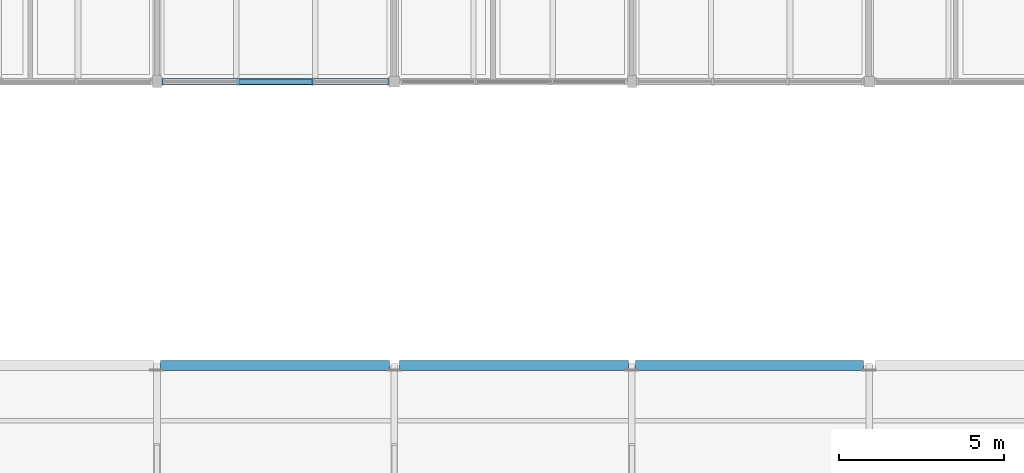
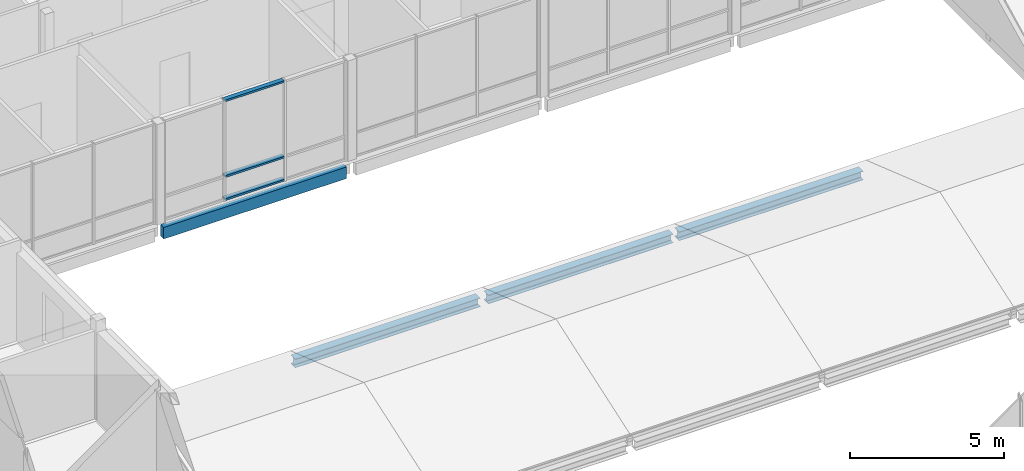
# One storey, part 23 of 115: 4 beams, 3 members, 1 element without a shape of its own.
"""IFC4 building model written with IfcOpenShell, lengths in metres."""

from ifc_helpers import new_model, si_unit, direction, frame, origin, origin_2d, place, context, subcontext, project, spatial, rectangle, hollow_rectangle, i_section, extrude, material, material_profile, profile_set, type_object, element, aggregate, save


model = new_model("IFC4")

# Units and contexts
model_context = context("Model", 3, precision=1e-05, world=origin(), true_north=direction((0.0, 1.0)))
body_context = subcontext(model_context, "Body", "Model", "MODEL_VIEW")
ifc_project = project(units=[si_unit("LENGTHUNIT", "METRE"), si_unit("AREAUNIT", "SQUARE_METRE"), si_unit("VOLUMEUNIT", "CUBIC_METRE"), si_unit("PLANEANGLEUNIT", "RADIAN"), si_unit("MASSUNIT", "GRAM", prefix="KILO")], contexts=[model_context])

# Site, building, storey
site_placement = place(None, origin())
site = spatial("IfcSite", under=ifc_project, at=site_placement, CompositionType="ELEMENT")
building_placement = place(site_placement, origin())
building = spatial("IfcBuilding", under=site, at=building_placement, Name="Hawrajan Terrace Health Centre", CompositionType="ELEMENT")
storey_placement = place(building_placement, frame((0.0, 0.0, 9.0)))
storey = spatial("IfcBuildingStorey", under=building, at=storey_placement, Name="L02", CompositionType="ELEMENT", Elevation=9.0)

# Curtain wall, members
ifc_material_1 = material(Name="Anodized bronze aluminium and low-E solar glazing", Category="aluminium")
curtain_wall_type = type_object("IfcCurtainWallType", Name="CW_Court_SeriesB2", PredefinedType="USERDEFINED", material=ifc_material_1)
curtain_wall_placement = place(storey_placement, origin())
curtain_wall = element("IfcCurtainWall", 1, at=curtain_wall_placement, inside=storey, type_object=curtain_wall_type, Name="Curtain wall CW-L02-125", ObjectType="UNITISED CURTAIN WALL", PredefinedType="USERDEFINED")
ifc_material_2 = material(Name="Anodized bronze aluminium 6063-T6", Category="aluminium")
ifc_material_profile_1 = material_profile(ifc_material_2, hollow_rectangle(XDim=0.074951171875, YDim=0.169921875, WallThickness=0.00439453125, at=origin_2d()), Name="CW TRN 75x170")
ifc_profile_set_1 = profile_set([ifc_material_profile_1], Name="Anodized bronze aluminium 6063-T6")
member_type = type_object("IfcMemberType", Name="CWTransom_75x170", PredefinedType="USERDEFINED", material=ifc_profile_set_1)
member_1_placement = place(storey_placement, frame((35.884033203125, 45.39990234375, 0.03759765625), z_axis=(1.0, 0.0, 0.0), x_axis=(0.0, 0.0, 1.0)))
member_1 = element("IfcMember", 2, at=member_1_placement, type_object=member_type, Name="Transom CW-L02-125-T2-1", ObjectType="TRANSOM", PredefinedType="USERDEFINED", context=body_context, shape_type="SweptSolid", body=[
    extrude(hollow_rectangle(XDim=0.074951171875, YDim=0.169921875, WallThickness=0.00439453125, at=origin_2d()), origin(), (0.0, 0.0, 1.0), 2.2119140625),
])
member_2_placement = place(storey_placement, frame((35.884033203125, 45.39990234375, 0.949951171875), z_axis=(1.0, 0.0, 0.0), x_axis=(0.0, 0.0, 1.0)))
member_2 = element("IfcMember", 3, at=member_2_placement, type_object=member_type, Name="Transom CW-L02-125-T2-2", ObjectType="TRANSOM", PredefinedType="USERDEFINED", context=body_context, shape_type="SweptSolid", body=[
    extrude(hollow_rectangle(XDim=0.074951171875, YDim=0.169921875, WallThickness=0.00439453125, at=origin_2d()), origin(), (0.0, 0.0, 1.0), 2.2119140625),
])
member_3_placement = place(storey_placement, frame((35.884033203125, 45.39990234375, 3.952392578125), z_axis=(1.0, 0.0, 0.0), x_axis=(0.0, 0.0, 1.0)))
member_3 = element("IfcMember", 4, at=member_3_placement, type_object=member_type, Name="Transom CW-L02-125-T2-3", ObjectType="TRANSOM", PredefinedType="USERDEFINED", context=body_context, shape_type="SweptSolid", body=[
    extrude(hollow_rectangle(XDim=0.074951171875, YDim=0.169921875, WallThickness=0.00439453125, at=origin_2d()), origin(), (0.0, 0.0, 1.0), 2.2119140625),
])
aggregate(curtain_wall, [member_1, member_2, member_3])

# Beams
ifc_material_3 = material(Name="Glulam GL32h", Category="wood")
ifc_material_profile_2 = material_profile(ifc_material_3, rectangle(XDim=0.199951171875, YDim=0.4599609375, at=origin_2d()), Name="GL SP 200x460")
ifc_profile_set_2 = profile_set([ifc_material_profile_2], Name="Glulam GL32h")
beam_type_1 = type_object("IfcBeamType", Name="GlulamSpandrel_200x460", PredefinedType="SPANDREL", material=ifc_profile_set_2)
beam_1_placement = place(storey_placement, frame((33.56005859375, 45.39990234375, -0.469970703125), z_axis=(1.0, 0.0, 0.0), x_axis=(0.0, 1.0, 0.0)))
element("IfcBeam", 5, at=beam_1_placement, inside=storey, type_object=beam_type_1, Name="Beam BM-X-L02-W-05-Y6", PredefinedType="SPANDREL", context=body_context, shape_type="SweptSolid", body=[
    extrude(rectangle(XDim=0.199951171875, YDim=0.4599609375, at=origin_2d()), origin(), (0.0, 0.0, 1.0), 6.85986328125),
])
ifc_material_4 = material(Name="Steel S355", Category="steel")
ifc_material_profile_3 = material_profile(ifc_material_4, i_section(OverallWidth=0.300048828125, OverallDepth=0.35009765625, WebThickness=0.010009765625, FlangeThickness=0.017578125, FilletRadius=0.027099609375, at=origin_2d()), Name="HEA 360")
ifc_profile_set_3 = profile_set([ifc_material_profile_3], Name="Steel S355")
beam_type_2 = type_object("IfcBeamType", Name="SteelBeam_HEA360", PredefinedType="BEAM", material=ifc_profile_set_3)
for number, where, z_axis, x_axis, name in (
    (6, (33.509521484375, 36.800048828125, -0.375), (1.0, 0.0, 0.0), (0.0, 1.0, 0.0), "Beam BM-X-L02-W-05-Y5"),
    (7, (40.75, 36.800048828125, -0.375), (1.0, 0.0, 0.0), (0.0, 1.0, 0.0), "Beam BM-X-L02-W-06-Y5"),
):
    element("IfcBeam", number, at=place(storey_placement, frame(where, z_axis=z_axis, x_axis=x_axis)), inside=storey, type_object=beam_type_2, Name=name, PredefinedType="BEAM", context=body_context, shape_type="SweptSolid", body=[
        extrude(i_section(OverallWidth=0.300048828125, OverallDepth=0.35009765625, WebThickness=0.010009765625, FlangeThickness=0.017578125, FilletRadius=0.027099609375, at=origin_2d()), origin(), (0.0, 0.0, 1.0), 6.9404296875),
    ])
beam_2_placement = place(storey_placement, frame((47.90966796875, 36.800048828125, -0.375), z_axis=(1.0, 0.0, 0.0), x_axis=(0.0, 1.0, 0.0)))
element("IfcBeam", 8, at=beam_2_placement, inside=storey, type_object=beam_type_2, Name="Beam BM-X-L02-W-07-Y5", PredefinedType="BEAM", context=body_context, shape_type="SweptSolid", body=[
    extrude(i_section(OverallWidth=0.300048828125, OverallDepth=0.35009765625, WebThickness=0.010009765625, FlangeThickness=0.017578125, FilletRadius=0.027099609375, at=origin_2d()), origin(), (0.0, 0.0, 1.0), 6.910400390625),
])

save(model, "model.ifc")
